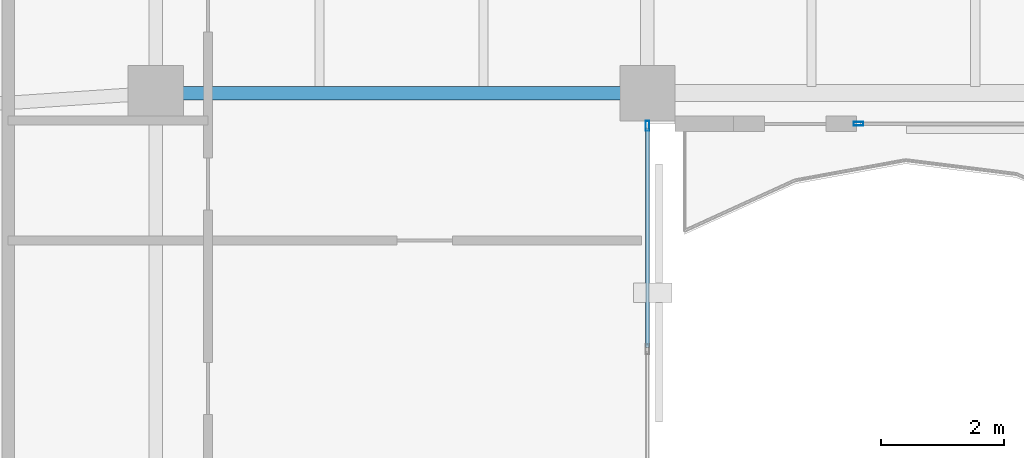
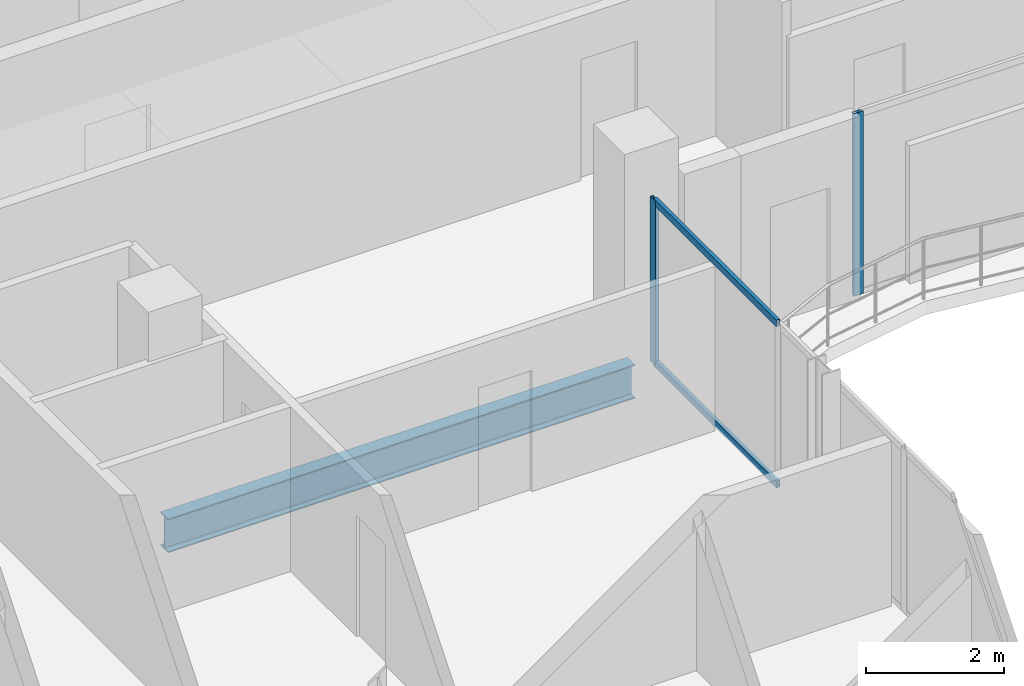
# One storey, part 8 of 22: 4 members, 1 beam, 2 elements without a shape of their own.
"""IFC4 building model written with IfcOpenShell, lengths in metres."""

import ifcopenshell
import ifcopenshell.guid

model = None  # the IFC model being written
_history = None  # IfcOwnerHistory: only IFC2X3 demands one
_inside = {}  # id of a spatial element -> (the spatial element, [elements in it])
_under = {}  # id of a project, library or spatial element -> (it, [spatial elements below it])
_declared = {}  # id of a project -> (the project, [libraries it declares])
_typed = {}  # id of a type object -> (the type object, [elements of that type])
_made_of = {}  # id of a material, layer set ... -> (it, [elements and type objects made of it])


def new_model(schema):
    """Start an empty IFC model of exactly this schema.

    Asked for "IFC4X3", IfcOpenShell would pick the latest addendum, in which some entities
    have other attributes; the version numbers below select the first issue.
    IFC2X3 requires an IfcOwnerHistory on every rooted entity: one is made here for all.
    """
    global model, _history
    if schema == "IFC4X3":
        model = ifcopenshell.file(schema_version=(4, 3, 0, 0))
    else:
        model = ifcopenshell.file(schema=schema)
    _inside.clear()
    _under.clear()
    _declared.clear()
    _typed.clear()
    _made_of.clear()
    _history = None
    if model.schema == "IFC2X3":
        org = make("IfcOrganization", Name="unknown")
        user = make(
            "IfcPersonAndOrganization",
            ThePerson=make("IfcPerson", FamilyName="unknown"),
            TheOrganization=org,
        )
        app = make(
            "IfcApplication",
            ApplicationDeveloper=org,
            Version="unknown",
            ApplicationFullName="unknown",
            ApplicationIdentifier="unknown",
        )
        _history = make(
            "IfcOwnerHistory",
            OwningUser=user,
            OwningApplication=app,
            ChangeAction="ADDED",
            CreationDate=0,
        )
    return model


def make(cls, **values):
    """One entity of the class cls with the attributes given. An attribute that is None is left unset."""
    return model.create_entity(
        cls, **{name: value for name, value in values.items() if value is not None}
    )


def rooted(cls, **values):
    """An entity with a GlobalId (a new one), such as an element, a storey or a relation."""
    return make(cls, GlobalId=ifcopenshell.guid.new(), OwnerHistory=_history, **values)


def si_unit(unit_type, name, prefix=None):
    """IfcSIUnit, for example si_unit("LENGTHUNIT", "METRE", prefix="MILLI")."""
    return make("IfcSIUnit", UnitType=unit_type, Prefix=prefix, Name=name)


def assignment(units):
    """IfcUnitAssignment: the units of a project."""
    return None if units is None else make("IfcUnitAssignment", Units=units)


def point(xyz):
    """IfcCartesianPoint."""
    return None if xyz is None else make("IfcCartesianPoint", Coordinates=xyz)


def direction(xyz):
    """IfcDirection."""
    return None if xyz is None else make("IfcDirection", DirectionRatios=xyz)


def frame(location, z_axis=None, x_axis=None):
    """IfcAxis2Placement3D, a coordinate frame: its origin and axes. An axis left out is left unset."""
    return make(
        "IfcAxis2Placement3D",
        Location=point(location),
        Axis=direction(z_axis),
        RefDirection=direction(x_axis),
    )


def frame_2d(location, x_axis=None):
    """IfcAxis2Placement2D, a coordinate frame in the plane: its origin and x axis."""
    return make(
        "IfcAxis2Placement2D", Location=point(location), RefDirection=direction(x_axis)
    )


def origin():
    """The frame at (0, 0, 0) with its axes left unset."""
    return frame((0.0, 0.0, 0.0))


def origin_2d():
    """The frame at (0, 0) in the plane with its x axis left unset."""
    return frame_2d((0.0, 0.0))


def place(relative_to, where):
    """IfcLocalPlacement: puts the frame where relative to a parent placement (None: the world)."""
    return make(
        "IfcLocalPlacement", PlacementRelTo=relative_to, RelativePlacement=where
    )


def context(
    kind, dimensions, precision=None, world=None, true_north=None, identifier=None
):
    """IfcGeometricRepresentationContext, for example the 3D "Model" context."""
    return make(
        "IfcGeometricRepresentationContext",
        ContextIdentifier=identifier,
        ContextType=kind,
        CoordinateSpaceDimension=dimensions,
        Precision=precision,
        WorldCoordinateSystem=world,
        TrueNorth=true_north,
    )


def subcontext(parent, identifier, kind, view, scale=None):
    """IfcGeometricRepresentationSubContext, for example "Body" below "Model"."""
    return make(
        "IfcGeometricRepresentationSubContext",
        ContextIdentifier=identifier,
        ContextType=kind,
        ParentContext=parent,
        TargetScale=scale,
        TargetView=view,
    )


def project(units=None, contexts=None):
    """IfcProject with its units and contexts."""
    return rooted(
        "IfcProject",
        Name="project",
        RepresentationContexts=contexts,
        UnitsInContext=assignment(units),
    )


def spatial(cls, under=None, at=None, **own):
    """A site, building, storey or space (cls), placed at a placement, below another one or the project."""
    s = rooted(cls, ObjectPlacement=at, **own)
    if under is not None:
        _under.setdefault(under.id(), (under, []))[1].append(s)
    return s


def profile(cls, at=None, kind="AREA", **sizes):
    """A parametric profile (cls). Its sizes go by their IFC names, for example OverallWidth=200.0."""
    return make(cls, ProfileType=kind, Position=at, **sizes)


def hollow_rectangle(**sizes):
    """IfcRectangleHollowProfileDef."""
    return profile("IfcRectangleHollowProfileDef", **sizes)


def i_section(**sizes):
    """IfcIShapeProfileDef."""
    return profile("IfcIShapeProfileDef", **sizes)


def extrude(swept, where, along, depth):
    """IfcExtrudedAreaSolid: the profile swept, set in the frame where, extruded along a direction by depth."""
    return make(
        "IfcExtrudedAreaSolid",
        SweptArea=swept,
        Position=where,
        ExtrudedDirection=direction(along),
        Depth=depth,
    )


def shape(context_of_items, identifier, shape_type, items):
    """IfcShapeRepresentation: the items that make up one representation, for example the "Body"."""
    return make(
        "IfcShapeRepresentation",
        ContextOfItems=context_of_items,
        RepresentationIdentifier=identifier,
        RepresentationType=shape_type,
        Items=items,
    )


def material(Name=None, Category=None):
    """IfcMaterial."""
    return make("IfcMaterial", Name=Name, Category=Category)


def layer(
    of_material, thickness, ventilated=None, Name=None, Category=None, Priority=None
):
    """IfcMaterialLayer: one layer of a wall or slab, of a material (None: an air gap)."""
    return make(
        "IfcMaterialLayer",
        Material=of_material,
        LayerThickness=thickness,
        IsVentilated=ventilated,
        Name=Name,
        Category=Category,
        Priority=Priority,
    )


def layer_set(layers, Name=None):
    """IfcMaterialLayerSet."""
    return make("IfcMaterialLayerSet", MaterialLayers=layers, LayerSetName=Name)


def material_profile(
    of_material, cross_section, Name=None, Category=None, Priority=None
):
    """IfcMaterialProfile: a cross section and its material."""
    return make(
        "IfcMaterialProfile",
        Name=Name,
        Material=of_material,
        Profile=cross_section,
        Priority=Priority,
        Category=Category,
    )


def profile_set(profiles, Name=None, composite=None):
    """IfcMaterialProfileSet."""
    return make(
        "IfcMaterialProfileSet",
        Name=Name,
        MaterialProfiles=profiles,
        CompositeProfile=composite,
    )


def made_of(thing, what):
    """Note that an element or type object is made of a material, layer set ...; save() writes the relation."""
    if what is not None:
        _made_of.setdefault(what.id(), (what, []))[1].append(thing)
    return thing


def type_object(cls, material=None, **own):
    """A type object (cls), such as IfcWallType, which elements share."""
    return made_of(rooted(cls, **own), material)


def element(
    cls,
    number,
    at=None,
    inside=None,
    cuts=None,
    type_object=None,
    material=None,
    context=None,
    identifier="Body",
    shape_type=None,
    held_by="IfcProductDefinitionShape",
    body=None,
    shapes=None,
    **own,
):
    """One element of the class cls, such as IfcWall. Its Tag is "e" and its number.

    at: its placement. inside: the storey or other place that contains it. cuts: it is an
    opening in that element (IfcRelVoidsElement). A single representation is given by context,
    identifier, shape_type and body (its items); several are given by shapes. held_by: the class
    of the entity that holds the representations. save() writes the other relations.
    """
    e = rooted(cls, Tag="e%d" % number, ObjectPlacement=at, **own)
    if body is not None:
        shapes = [shape(context, identifier, shape_type, body)]
    if shapes is not None:
        e.Representation = make(held_by, Representations=shapes)
    if inside is not None:
        _inside.setdefault(inside.id(), (inside, []))[1].append(e)
    if cuts is not None:
        rooted(
            "IfcRelVoidsElement", RelatingBuildingElement=cuts, RelatedOpeningElement=e
        )
    if type_object is not None:
        _typed.setdefault(type_object.id(), (type_object, []))[1].append(e)
    return made_of(e, material)


def aggregate(whole, parts):
    """IfcRelAggregates: a whole, such as a stair, and the parts it consists of."""
    return rooted("IfcRelAggregates", RelatingObject=whole, RelatedObjects=parts)


def save(model, path):
    """Write the relations noted so far, then the file.

    IfcRelAggregates (storeys below a building ...), IfcRelContainedInSpatialStructure (elements
    in a storey), IfcRelDefinesByType, IfcRelAssociatesMaterial and IfcRelDeclares: one each for
    every whole, place, type object, material and project.
    """
    for whole, parts in _under.values():
        aggregate(whole, parts)
    for where, things in _inside.values():
        rooted(
            "IfcRelContainedInSpatialStructure",
            RelatedElements=things,
            RelatingStructure=where,
        )
    for kind, things in _typed.values():
        rooted("IfcRelDefinesByType", RelatedObjects=things, RelatingType=kind)
    for what, things in _made_of.values():
        rooted("IfcRelAssociatesMaterial", RelatedObjects=things, RelatingMaterial=what)
    for by, libraries in _declared.values():
        rooted("IfcRelDeclares", RelatingContext=by, RelatedDefinitions=libraries)
    model.write(path)


model = new_model("IFC4")

# Units and contexts
model_context = context("Model", 3, precision=1e-05, world=origin(), true_north=direction((0.0, 1.0)))
body_context = subcontext(model_context, "Body", "Model", "MODEL_VIEW")
ifc_project = project(units=[si_unit("LENGTHUNIT", "METRE"), si_unit("AREAUNIT", "SQUARE_METRE"), si_unit("VOLUMEUNIT", "CUBIC_METRE"), si_unit("PLANEANGLEUNIT", "RADIAN"), si_unit("MASSUNIT", "GRAM", prefix="KILO")], contexts=[model_context])

# Site, building, storey
site_placement = place(None, origin())
site = spatial("IfcSite", under=ifc_project, at=site_placement, CompositionType="ELEMENT")
building_placement = place(site_placement, origin())
building = spatial("IfcBuilding", under=site, at=building_placement, Name="Catumbela Crestline Tower", CompositionType="ELEMENT")
storey_placement = place(building_placement, frame((0.0, 0.0, 218.4)))
storey = spatial("IfcBuildingStorey", under=building, at=storey_placement, Name="L56", CompositionType="ELEMENT", Elevation=218.4)

# Beam
ifc_material_1 = material(Name="Structural steel S355J2", Category="steel")
ifc_material_profile_1 = material_profile(ifc_material_1, i_section(OverallWidth=0.22, OverallDepth=0.6, WebThickness=0.012, FlangeThickness=0.019, FilletRadius=0.024, at=origin_2d()), Name="IPE 600")
ifc_profile_set_1 = profile_set([ifc_material_profile_1], Name="Structural steel S355J2")
beam_type = type_object("IfcBeamType", Name="BG-IPE600", PredefinedType="BEAM", material=ifc_profile_set_1)
beam_placement = place(storey_placement, frame((16.08, 24.5, -0.56), z_axis=(1.0, 0.0, 0.0), x_axis=(0.0, 1.0, 0.0)))
element("IfcBeam", 1, at=beam_placement, inside=storey, type_object=beam_type, Name="L56 Beam BM-L56-S03", PredefinedType="BEAM", context=body_context, shape_type="SweptSolid", body=[
    extrude(i_section(OverallWidth=0.22, OverallDepth=0.6, WebThickness=0.012, FlangeThickness=0.019, FilletRadius=0.024, at=origin_2d()), origin(), (0.0, 0.0, 1.0), 7.84),
])

# Curtain wall, member
ifc_material_2 = material(Name="Aluminium alloy AW-6060-T66", Category="aluminium")
ifc_layer = layer(ifc_material_2, 0.18, Name="Aluminium alloy AW-6060-T66")
ifc_layer_set = layer_set([ifc_layer], Name="Aluminium alloy AW-6060-T66")
curtain_wall_type = type_object("IfcCurtainWallType", Name="CWU-Z4", PredefinedType="USERDEFINED", material=ifc_layer_set)
curtain_wall_1_placement = place(storey_placement, origin())
curtain_wall_1 = element("IfcCurtainWall", 2, at=curtain_wall_1_placement, inside=storey, type_object=curtain_wall_type, Name="L56 Unitised Curtain Wall CW-L56-E2S1", ObjectType="UNITISED", PredefinedType="USERDEFINED")
ifc_material_profile_2 = material_profile(ifc_material_2, hollow_rectangle(XDim=0.06, YDim=0.16, WallThickness=0.004, at=origin_2d()), Name="ALU 160x60x4")
ifc_profile_set_2 = profile_set([ifc_material_profile_2], Name="Aluminium alloy AW-6060-T66")
member_type_1 = type_object("IfcMemberType", Name="MUL-160X60", PredefinedType="MULLION", material=ifc_profile_set_2)
member_1_placement = place(storey_placement, frame((24.0, 23.9675, 0.0), z_axis=(0.0, 0.0, 1.0), x_axis=(-1.0, 0.0, 0.0)))
member_1 = element("IfcMember", 3, at=member_1_placement, type_object=member_type_1, Name="CWU-Z4 mullion 4", PredefinedType="MULLION", context=body_context, shape_type="SweptSolid", body=[
    extrude(hollow_rectangle(XDim=0.06, YDim=0.16, WallThickness=0.004, at=origin_2d()), origin(), (0.0, 0.0, 1.0), 2.92),
])

curtain_wall_2_placement = place(storey_placement, origin())
curtain_wall_2 = element("IfcCurtainWall", 4, at=curtain_wall_2_placement, inside=storey, type_object=curtain_wall_type, Name="L56 Unitised Curtain Wall CW-L56-E3S2", ObjectType="UNITISED", PredefinedType="USERDEFINED")
member_2_placement = place(storey_placement, frame((27.4325, 24.0, 0.0), z_axis=(0.0, 0.0, 1.0), x_axis=(0.0, 1.0, 0.0)))
member_2 = element("IfcMember", 5, at=member_2_placement, type_object=member_type_1, Name="CWU-Z4 mullion 1", PredefinedType="MULLION", context=body_context, shape_type="SweptSolid", body=[
    extrude(hollow_rectangle(XDim=0.06, YDim=0.16, WallThickness=0.004, at=origin_2d()), origin(), (0.0, 0.0, 1.0), 3.24),
])
aggregate(curtain_wall_2, [member_2])

# Member
ifc_material_profile_3 = material_profile(ifc_material_2, hollow_rectangle(XDim=0.06, YDim=0.12, WallThickness=0.0035, at=origin_2d()), Name="ALU 120x60x3.5")
ifc_profile_set_3 = profile_set([ifc_material_profile_3], Name="Aluminium alloy AW-6060-T66")
member_type_2 = type_object("IfcMemberType", Name="TRN-120X60", PredefinedType="USERDEFINED", material=ifc_profile_set_3)
member_3_placement = place(storey_placement, frame((24.0, 20.3658, 0.03), z_axis=(0.0, 1.0, 0.0), x_axis=(-1.0, 0.0, 0.0)))
member_3 = element("IfcMember", 6, at=member_3_placement, type_object=member_type_2, Name="CWU-Z4 transom 3.1", ObjectType="TRANSOM", PredefinedType="USERDEFINED", context=body_context, shape_type="SweptSolid", body=[
    extrude(hollow_rectangle(XDim=0.06, YDim=0.12, WallThickness=0.0035, at=origin_2d()), origin(), (0.0, 0.0, 1.0), 3.5692),
])

member_4_placement = place(storey_placement, frame((24.0, 20.3658, 2.89), z_axis=(0.0, 1.0, 0.0), x_axis=(-1.0, 0.0, 0.0)))
member_4 = element("IfcMember", 7, at=member_4_placement, type_object=member_type_2, Name="CWU-Z4 transom 3.2", ObjectType="TRANSOM", PredefinedType="USERDEFINED", context=body_context, shape_type="SweptSolid", body=[
    extrude(hollow_rectangle(XDim=0.06, YDim=0.12, WallThickness=0.0035, at=origin_2d()), origin(), (0.0, 0.0, 1.0), 3.5692),
])

aggregate(curtain_wall_1, [member_1, member_3, member_4])

save(model, "model.ifc")
